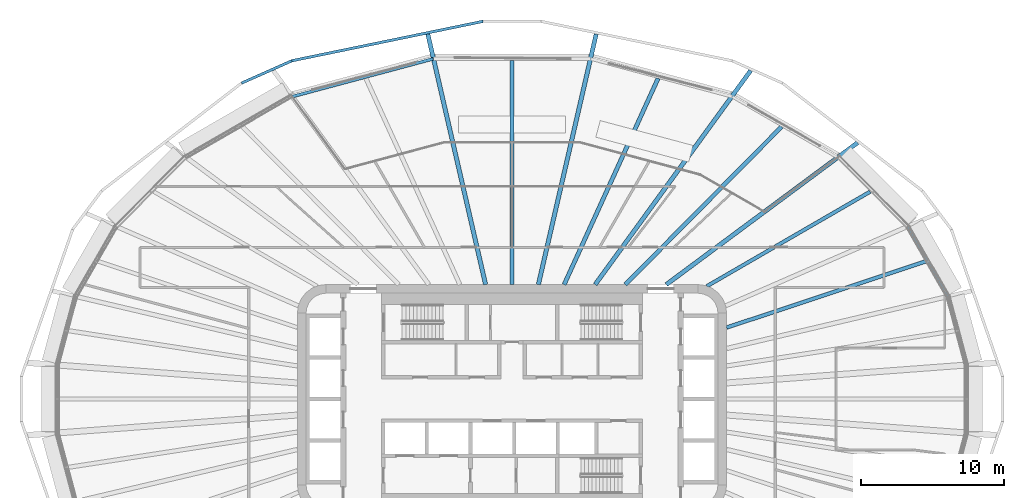
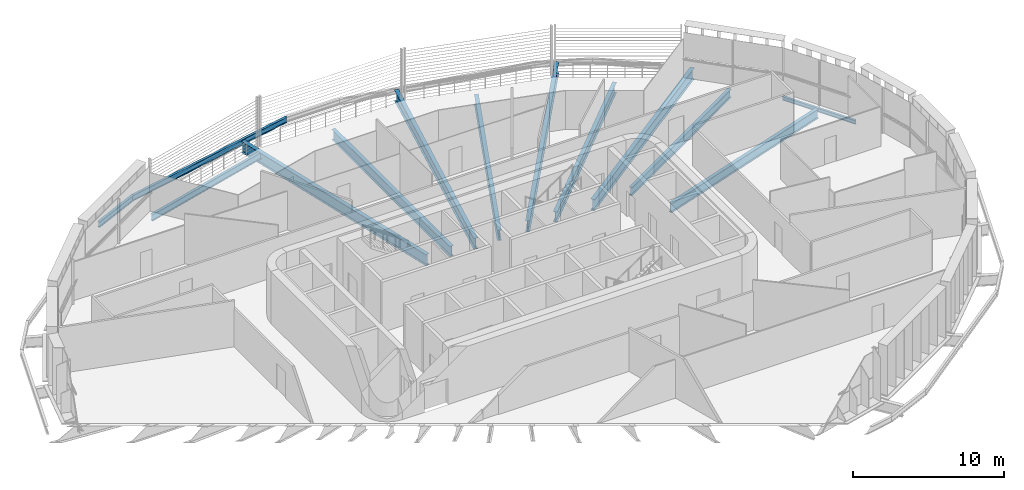
# One storey, part 8 of 24: 13 beams.
"""IFC4 building model written with IfcOpenShell, lengths in metres."""

from ifc_helpers import new_model, si_unit, direction, frame, origin, origin_2d, place, context, subcontext, project, spatial, i_section, extrude, material, material_profile, profile_set, type_object, element, save


model = new_model("IFC4")

# Units and contexts
model_context = context("Model", 3, precision=1e-05, world=origin(), true_north=direction((0.0, 1.0)))
body_context = subcontext(model_context, "Body", "Model", "MODEL_VIEW")
ifc_project = project(units=[si_unit("LENGTHUNIT", "METRE"), si_unit("AREAUNIT", "SQUARE_METRE"), si_unit("VOLUMEUNIT", "CUBIC_METRE"), si_unit("PLANEANGLEUNIT", "RADIAN"), si_unit("MASSUNIT", "GRAM", prefix="KILO")], contexts=[model_context])

# Site, building, storey
site_placement = place(None, origin())
site = spatial("IfcSite", under=ifc_project, at=site_placement, CompositionType="ELEMENT")
building_placement = place(site_placement, origin())
building = spatial("IfcBuilding", under=site, at=building_placement, Name="Sahrelin Media Tower", CompositionType="ELEMENT")
storey_placement = place(building_placement, frame((0.0, 0.0, 118.800048828125)))
storey = spatial("IfcBuildingStorey", under=building, at=storey_placement, Name="L23", CompositionType="ELEMENT", Elevation=118.800048828125)

# Beams
ifc_material = material(Name="Steel S355", Category="steel")
ifc_material_profile_1 = material_profile(ifc_material, i_section(OverallWidth=0.1650390625, OverallDepth=0.303466796875, WebThickness=0.006103515625, FlangeThickness=0.01025390625, FilletRadius=0.0087890625, at=origin_2d()), Name="UB 305x165x40")
ifc_profile_set_1 = profile_set([ifc_material_profile_1], Name="Steel S355")
beam_type_1 = type_object("IfcBeamType", Name="Edge beam EB2", PredefinedType="BEAM", material=ifc_profile_set_1)
beam_1_placement = place(storey_placement, frame((27.644287109375, 12.000732421875, -0.3017578125), z_axis=(0.500039387122, -0.866002662425, 0.0), x_axis=(0.866002662425, 0.500039387122, 0.0)))
element("IfcBeam", 1, at=beam_1_placement, inside=storey, type_object=beam_type_1, Name="Edge beam L23-23", PredefinedType="BEAM", context=body_context, shape_type="SweptSolid", body=[
    extrude(i_section(OverallWidth=0.1650390625, OverallDepth=0.303466796875, WebThickness=0.006103515625, FlangeThickness=0.01025390625, FilletRadius=0.0087890625, at=origin_2d()), origin(), (0.0, 0.0, 1.0), 5.60107421875),
])
ifc_material_profile_2 = material_profile(ifc_material, i_section(OverallWidth=0.208740234375, OverallDepth=0.5283203125, WebThickness=0.009521484375, FlangeThickness=0.01318359375, FilletRadius=0.0126953125, at=origin_2d()), Name="UB 533x210x82")
ifc_profile_set_2 = profile_set([ifc_material_profile_2], Name="Steel S355")
beam_type_2 = type_object("IfcBeamType", Name="Edge beam EB6", PredefinedType="BEAM", material=ifc_profile_set_2)
beam_2_placement = place(storey_placement, frame((-15.382080078125, 21.13134765625, -0.46435546875), z_axis=(0.965930023505, 0.258803380373, 0.0), x_axis=(-0.258803380373, 0.965930023505, 0.0)))
element("IfcBeam", 2, at=beam_2_placement, inside=storey, type_object=beam_type_2, Name="Edge beam L23-18", PredefinedType="BEAM", context=body_context, shape_type="SweptSolid", body=[
    extrude(i_section(OverallWidth=0.208740234375, OverallDepth=0.5283203125, WebThickness=0.009521484375, FlangeThickness=0.01318359375, FilletRadius=0.0126953125, at=origin_2d()), origin(), (0.0, 0.0, 1.0), 10.215576171875),
])
ifc_material_profile_3 = material_profile(ifc_material, i_section(OverallWidth=0.30322265625, OverallDepth=0.903076171875, WebThickness=0.01513671875, FlangeThickness=0.020263671875, FilletRadius=0.01904296875, at=origin_2d()), Name="UB 914x305x201")
ifc_profile_set_3 = profile_set([ifc_material_profile_3], Name="Steel S355")
beam_type_3 = type_object("IfcBeamType", Name="Radial primary beam PB11", PredefinedType="BEAM", material=ifc_profile_set_3)
beam_3_placement = place(storey_placement, frame((10.785888671875, 8.0, -0.651611328125), z_axis=(0.803181335478, 0.59573462409, 0.0), x_axis=(-0.59573462409, 0.803181335478, 0.0)))
element("IfcBeam", 3, at=beam_3_placement, inside=storey, type_object=beam_type_3, Name="Radial beam L23-04", PredefinedType="BEAM", context=body_context, shape_type="SweptSolid", body=[
    extrude(i_section(OverallWidth=0.30322265625, OverallDepth=0.903076171875, WebThickness=0.01513671875, FlangeThickness=0.020263671875, FilletRadius=0.01904296875, at=origin_2d()), origin(), (0.0, 0.0, 1.0), 16.645751953125),
])
beam_4_placement = place(storey_placement, frame((5.813232421875, 8.0, -0.651611328125), z_axis=(0.587841187642, 0.80897635201, 0.0), x_axis=(-0.80897635201, 0.587841187642, 0.0)))
element("IfcBeam", 4, at=beam_4_placement, inside=storey, type_object=beam_type_3, Name="Radial beam L23-05", PredefinedType="BEAM", context=body_context, shape_type="SweptSolid", body=[
    extrude(i_section(OverallWidth=0.30322265625, OverallDepth=0.903076171875, WebThickness=0.01513671875, FlangeThickness=0.020263671875, FilletRadius=0.01904296875, at=origin_2d()), origin(), (0.0, 0.0, 1.0), 18.49365234375),
])
for number, where, z_axis, x_axis, name in (
    (5, (1.845703125, 8.0, -0.651611328125), (0.224782082917, 0.974409059481, 0.0), (-0.974409059481, 0.224782082917, 0.0), "Radial beam L23-06"),
    (6, (-1.845703125, 8.0, -0.651611328125), (-0.224782082917, 0.974409059481, 0.0), (-0.974409059481, -0.224782082917, 0.0), "Radial beam L23-07"),
):
    element("IfcBeam", number, at=place(storey_placement, frame(where, z_axis=z_axis, x_axis=x_axis)), inside=storey, type_object=beam_type_3, Name=name, PredefinedType="BEAM", context=body_context, shape_type="SweptSolid", body=[
        extrude(i_section(OverallWidth=0.30322265625, OverallDepth=0.903076171875, WebThickness=0.01513671875, FlangeThickness=0.020263671875, FilletRadius=0.01904296875, at=origin_2d()), origin(), (0.0, 0.0, 1.0), 17.96337890625),
    ])
ifc_material_profile_4 = material_profile(ifc_material, i_section(OverallWidth=0.291748046875, OverallDepth=0.8349609375, WebThickness=0.013916015625, FlangeThickness=0.018798828125, FilletRadius=0.017822265625, at=origin_2d()), Name="UB 838x292x176")
ifc_profile_set_4 = profile_set([ifc_material_profile_4], Name="Steel S355")
beam_type_4 = type_object("IfcBeamType", Name="Radial secondary beam SB10", PredefinedType="BEAM", material=ifc_profile_set_4)
beam_5_placement = place(storey_placement, frame((7.922119140625, 8.0, -0.617431640625), z_axis=(0.703629599275, 0.710566947601, 0.0), x_axis=(-0.710566947601, 0.703629599275, 0.0)))
element("IfcBeam", 7, at=beam_5_placement, inside=storey, type_object=beam_type_4, Name="Secondary beam L23-04", PredefinedType="BEAM", context=body_context, shape_type="SweptSolid", body=[
    extrude(i_section(OverallWidth=0.291748046875, OverallDepth=0.8349609375, WebThickness=0.013916015625, FlangeThickness=0.018798828125, FilletRadius=0.017822265625, at=origin_2d()), origin(), (0.0, 0.0, 1.0), 15.519775390625),
])
beam_6_placement = place(storey_placement, frame((3.6455078125, 8.0, -0.617431640625), z_axis=(0.41464150741, 0.909984846211, 0.0), x_axis=(-0.909984846211, 0.41464150741, 0.0)))
element("IfcBeam", 8, at=beam_6_placement, inside=storey, type_object=beam_type_4, Name="Secondary beam L23-05", PredefinedType="BEAM", context=body_context, shape_type="SweptSolid", body=[
    extrude(i_section(OverallWidth=0.291748046875, OverallDepth=0.8349609375, WebThickness=0.013916015625, FlangeThickness=0.018798828125, FilletRadius=0.017822265625, at=origin_2d()), origin(), (0.0, 0.0, 1.0), 15.833984375),
])
beam_7_placement = place(storey_placement, frame((0.0, 8.0, -0.617431640625), z_axis=(0.0, 1.0, 0.0), x_axis=(-1.0, 0.0, 0.0)))
element("IfcBeam", 9, at=beam_7_placement, inside=storey, type_object=beam_type_4, Name="Secondary beam L23-06", PredefinedType="BEAM", context=body_context, shape_type="SweptSolid", body=[
    extrude(i_section(OverallWidth=0.291748046875, OverallDepth=0.8349609375, WebThickness=0.013916015625, FlangeThickness=0.018798828125, FilletRadius=0.017822265625, at=origin_2d()), origin(), (0.0, 0.0, 1.0), 15.665283203125),
])
ifc_material_profile_5 = material_profile(ifc_material, i_section(OverallWidth=0.2529296875, OverallDepth=0.677978515625, WebThickness=0.01171875, FlangeThickness=0.01611328125, FilletRadius=0.01513671875, at=origin_2d()), Name="UB 686x254x125")
ifc_profile_set_5 = profile_set([ifc_material_profile_5], Name="Steel S355")
beam_type_5 = type_object("IfcBeamType", Name="Radial secondary beam SB8", PredefinedType="BEAM", material=ifc_profile_set_5)
beam_8_placement = place(storey_placement, frame((13.625732421875, 7.88720703125, -0.489013671875), z_axis=(0.865466427639, 0.50096692768, 0.0), x_axis=(-0.50096692768, 0.865466427639, 0.0)))
element("IfcBeam", 10, at=beam_8_placement, inside=storey, type_object=beam_type_5, Name="Secondary beam L23-03", PredefinedType="BEAM", context=body_context, shape_type="SweptSolid", body=[
    extrude(i_section(OverallWidth=0.2529296875, OverallDepth=0.677978515625, WebThickness=0.01171875, FlangeThickness=0.01611328125, FilletRadius=0.01513671875, at=origin_2d()), origin(), (0.0, 0.0, 1.0), 13.18505859375),
])
ifc_material_profile_6 = material_profile(ifc_material, i_section(OverallWidth=0.26513671875, OverallDepth=0.75390625, WebThickness=0.0126953125, FlangeThickness=0.017578125, FilletRadius=0.0166015625, at=origin_2d()), Name="UB 762x267x147")
ifc_profile_set_6 = profile_set([ifc_material_profile_6], Name="Steel S355")
beam_type_6 = type_object("IfcBeamType", Name="Radial secondary beam SB9", PredefinedType="BEAM", material=ifc_profile_set_6)
beam_9_placement = place(storey_placement, frame((15.0, 4.98974609375, -0.527099609375), z_axis=(0.948881111096, 0.315633707017, 0.0), x_axis=(-0.315633707017, 0.948881111096, 0.0)))
element("IfcBeam", 11, at=beam_9_placement, inside=storey, type_object=beam_type_6, Name="Secondary beam L23-02", PredefinedType="BEAM", context=body_context, shape_type="SweptSolid", body=[
    extrude(i_section(OverallWidth=0.26513671875, OverallDepth=0.75390625, WebThickness=0.0126953125, FlangeThickness=0.017578125, FilletRadius=0.0166015625, at=origin_2d()), origin(), (0.0, 0.0, 1.0), 14.673095703125),
])
ifc_material_profile_7 = material_profile(ifc_material, i_section(OverallWidth=0.1904296875, OverallDepth=0.45703125, WebThickness=0.009033203125, FlangeThickness=0.014404296875, FilletRadius=0.01025390625, at=origin_2d()), Name="UB 457x191x74")
ifc_profile_set_7 = profile_set([ifc_material_profile_7], Name="Steel S355")
beam_type_7 = type_object("IfcBeamType", Name="Tie chord TC5", PredefinedType="BEAM", material=ifc_profile_set_7)
beam_10_placement = place(storey_placement, frame((-2.028076171875, 26.39599609375, -0.378662109375), z_axis=(-0.979388276692, -0.20198664183, 0.0), x_axis=(0.20198664183, -0.979388276692, 0.0)))
element("IfcBeam", 12, at=beam_10_placement, inside=storey, type_object=beam_type_7, Name="Tie chord L23-07", PredefinedType="BEAM", context=body_context, shape_type="SweptSolid", body=[
    extrude(i_section(OverallWidth=0.1904296875, OverallDepth=0.45703125, WebThickness=0.009033203125, FlangeThickness=0.014404296875, FilletRadius=0.01025390625, at=origin_2d()), origin(), (0.0, 0.0, 1.0), 13.643798828125),
])
beam_11_placement = place(storey_placement, frame((-15.390625, 23.64013671875, -0.378662109375), z_axis=(-0.913827262531, -0.406103107911, 0.0), x_axis=(0.406103107911, -0.913827262531, 0.0)))
element("IfcBeam", 13, at=beam_11_placement, inside=storey, type_object=beam_type_7, Name="Tie chord L23-08", PredefinedType="BEAM", context=body_context, shape_type="SweptSolid", body=[
    extrude(i_section(OverallWidth=0.1904296875, OverallDepth=0.45703125, WebThickness=0.009033203125, FlangeThickness=0.014404296875, FilletRadius=0.01025390625, at=origin_2d()), origin(), (0.0, 0.0, 1.0), 3.843994140625),
])

save(model, "model.ifc")
